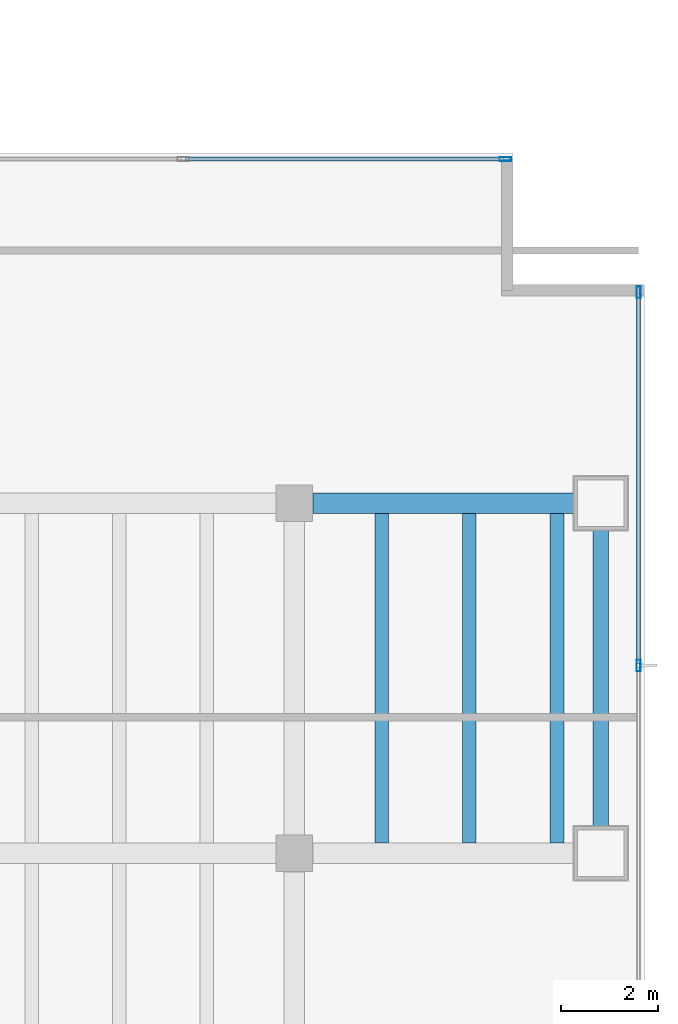
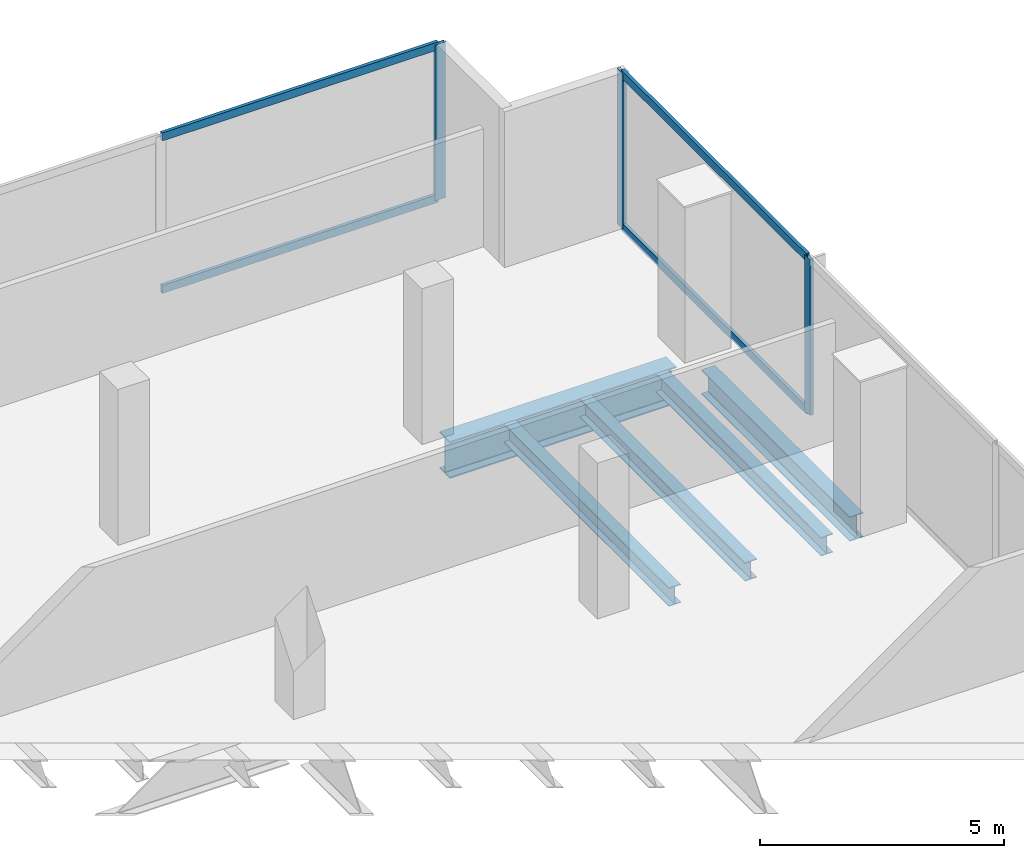
# One storey, part 20 of 32: 7 members, 5 beams, 2 elements without a shape of their own.
"""IFC4 building model written with IfcOpenShell, lengths in metres."""

from ifc_helpers import new_model, si_unit, direction, frame, origin, origin_2d, place, context, subcontext, project, spatial, hollow_rectangle, i_section, extrude, material, material_profile, profile_set, type_object, element, aggregate, save


model = new_model("IFC4")

# Units and contexts
model_context = context("Model", 3, precision=1e-05, world=origin(), true_north=direction((0.0, 1.0)))
body_context = subcontext(model_context, "Body", "Model", "MODEL_VIEW")
ifc_project = project(units=[si_unit("LENGTHUNIT", "METRE"), si_unit("AREAUNIT", "SQUARE_METRE"), si_unit("VOLUMEUNIT", "CUBIC_METRE"), si_unit("PLANEANGLEUNIT", "RADIAN"), si_unit("MASSUNIT", "GRAM", prefix="KILO")], contexts=[model_context])

# Site, building, storey
site_placement = place(None, origin())
site = spatial("IfcSite", under=ifc_project, at=site_placement, CompositionType="ELEMENT")
building_placement = place(site_placement, origin())
building = spatial("IfcBuilding", under=site, at=building_placement, Name="Cobrela Telecom Tower", CompositionType="ELEMENT")
storey_placement = place(building_placement, frame((0.0, 0.0, 22.050048828125)))
storey = spatial("IfcBuildingStorey", under=building, at=storey_placement, Name="L05", CompositionType="ELEMENT", Elevation=22.050048828125)

# Beams
ifc_material_1 = material(Name="Steel ASTM A992 Grade 50", Category="steel")
ifc_material_profile_1 = material_profile(ifc_material_1, i_section(OverallWidth=0.4189453125, OverallDepth=0.927001953125, WebThickness=0.019287109375, FlangeThickness=0.031982421875, FilletRadius=0.02392578125, at=origin_2d()), Name="W36X231")
ifc_profile_set_1 = profile_set([ifc_material_profile_1], Name="Steel ASTM A992 Grade 50")
beam_type_1 = type_object("IfcBeamType", Name="BM-GIRD-02", PredefinedType="USERDEFINED", material=ifc_profile_set_1)
beam_1_placement = place(storey_placement, frame((79.580078125, 21.60009765625, -0.753662109375), z_axis=(1.0, 0.0, 0.0), x_axis=(0.0, 1.0, 0.0)))
element("IfcBeam", 1, at=beam_1_placement, inside=storey, type_object=beam_type_1, Name="L05 Primary Girder X37", ObjectType="GIRDER", PredefinedType="USERDEFINED", context=body_context, shape_type="SweptSolid", body=[
    extrude(i_section(OverallWidth=0.4189453125, OverallDepth=0.927001953125, WebThickness=0.019287109375, FlangeThickness=0.031982421875, FilletRadius=0.02392578125, at=origin_2d()), origin(), (0.0, 0.0, 1.0), 5.364990234375),
])
ifc_material_profile_2 = material_profile(ifc_material_1, i_section(OverallWidth=0.281982421875, OverallDepth=0.467041015625, WebThickness=0.01220703125, FlangeThickness=0.01953125, FilletRadius=0.012939453125, at=origin_2d()), Name="W18X86")
ifc_profile_set_2 = profile_set([ifc_material_profile_2], Name="Steel ASTM A992 Grade 50")
beam_type_2 = type_object("IfcBeamType", Name="BM-JOIST-02", PredefinedType="JOIST", material=ifc_profile_set_2)
for number, where, z_axis, x_axis, name in (
    (2, (81.0, 14.614501953125, -0.5234375), (0.0, 1.0, 0.0), (-1.0, 0.0, 0.0), "L05 Secondary Composite Floor Beam J136"),
    (3, (82.800048828125, 14.614501953125, -0.5234375), (0.0, 1.0, 0.0), (-1.0, 0.0, 0.0), "L05 Secondary Composite Floor Beam J137"),
    (4, (84.60009765625, 14.614501953125, -0.5234375), (0.0, 1.0, 0.0), (-1.0, 0.0, 0.0), "L05 Secondary Composite Floor Beam J138"),
):
    element("IfcBeam", number, at=place(storey_placement, frame(where, z_axis=z_axis, x_axis=x_axis)), inside=storey, type_object=beam_type_2, Name=name, PredefinedType="JOIST", context=body_context, shape_type="SweptSolid", body=[
        extrude(i_section(OverallWidth=0.281982421875, OverallDepth=0.467041015625, WebThickness=0.01220703125, FlangeThickness=0.01953125, FilletRadius=0.012939453125, at=origin_2d()), origin(), (0.0, 0.0, 1.0), 6.77099609375),
    ])
ifc_material_profile_3 = material_profile(ifc_material_1, i_section(OverallWidth=0.324951171875, OverallDepth=0.612060546875, WebThickness=0.0126953125, FlangeThickness=0.01904296875, FilletRadius=0.014892578125, at=origin_2d()), Name="W24X104")
ifc_profile_set_3 = profile_set([ifc_material_profile_3], Name="Steel ASTM A992 Grade 50")
beam_type_3 = type_object("IfcBeamType", Name="BM-SPAND-02", PredefinedType="SPANDREL", material=ifc_profile_set_3)
beam_2_placement = place(storey_placement, frame((85.5, 14.955078125, -0.595947265625), z_axis=(0.0, 1.0, 0.0), x_axis=(-1.0, 0.0, 0.0)))
element("IfcBeam", 5, at=beam_2_placement, inside=storey, type_object=beam_type_3, Name="L05 Perimeter Spandrel Y100", PredefinedType="SPANDREL", context=body_context, shape_type="SweptSolid", body=[
    extrude(i_section(OverallWidth=0.324951171875, OverallDepth=0.612060546875, WebThickness=0.0126953125, FlangeThickness=0.01904296875, FilletRadius=0.014892578125, at=origin_2d()), origin(), (0.0, 0.0, 1.0), 6.08984375),
])

# Curtain wall, member
ifc_material_2 = material(Name="Anodized Bronze Aluminium 6063-T6", Category="aluminium")
curtain_wall_type = type_object("IfcCurtainWallType", Name="CW-SYS-CONC", PredefinedType="USERDEFINED", material=ifc_material_2)
curtain_wall_1_placement = place(storey_placement, origin())
curtain_wall_1 = element("IfcCurtainWall", 6, at=curtain_wall_1_placement, inside=storey, type_object=curtain_wall_type, Name="L05 Unitised Bronze Curtain Wall 11", ObjectType="UNITISED CURTAIN WALL", PredefinedType="USERDEFINED")
ifc_material_profile_4 = material_profile(ifc_material_2, hollow_rectangle(XDim=0.080078125, YDim=0.239990234375, WallThickness=0.0048828125, at=origin_2d()), Name="ALU 80x240x5")
ifc_profile_set_4 = profile_set([ifc_material_profile_4], Name="Anodized Bronze Aluminium 6063-T6")
member_type_1 = type_object("IfcMemberType", Name="CW-SYS-CONC-MUL", PredefinedType="MULLION", material=ifc_profile_set_4)
member_1_placement = place(storey_placement, frame((83.5400390625, 28.679931640625, 0.0), z_axis=(0.0, 0.0, 1.0), x_axis=(0.0, 1.0, 0.0)))
member_1 = element("IfcMember", 7, at=member_1_placement, type_object=member_type_1, Name="CW-CONC mullion 6", PredefinedType="MULLION", context=body_context, shape_type="SweptSolid", body=[
    extrude(hollow_rectangle(XDim=0.080078125, YDim=0.239990234375, WallThickness=0.0048828125, at=origin_2d()), origin(), (0.0, 0.0, 1.0), 3.89990234375),
])

# Curtain wall, members
curtain_wall_2_placement = place(storey_placement, origin())
curtain_wall_2 = element("IfcCurtainWall", 8, at=curtain_wall_2_placement, inside=storey, type_object=curtain_wall_type, Name="L05 Unitised Bronze Curtain Wall 14", ObjectType="UNITISED CURTAIN WALL", PredefinedType="USERDEFINED")
member_2_placement = place(storey_placement, frame((86.280029296875, 25.93994140625, 0.0), z_axis=(0.0, 0.0, 1.0), x_axis=(1.0, 0.0, 0.0)))
member_2 = element("IfcMember", 9, at=member_2_placement, type_object=member_type_1, Name="CW-CONC mullion 1", PredefinedType="MULLION", context=body_context, shape_type="SweptSolid", body=[
    extrude(hollow_rectangle(XDim=0.080078125, YDim=0.239990234375, WallThickness=0.0048828125, at=origin_2d()), origin(), (0.0, 0.0, 1.0), 3.89990234375),
])
member_3_placement = place(storey_placement, frame((86.280029296875, 18.260009765625, 0.0), z_axis=(0.0, 0.0, 1.0), x_axis=(1.0, 0.0, 0.0)))
member_3 = element("IfcMember", 10, at=member_3_placement, type_object=member_type_1, Name="CW-CONC mullion 2", PredefinedType="MULLION", context=body_context, shape_type="SweptSolid", body=[
    extrude(hollow_rectangle(XDim=0.080078125, YDim=0.239990234375, WallThickness=0.0048828125, at=origin_2d()), origin(), (0.0, 0.0, 1.0), 3.89990234375),
])

# Member
ifc_material_profile_5 = material_profile(ifc_material_2, hollow_rectangle(XDim=0.080078125, YDim=0.199951171875, WallThickness=0.00390625, at=origin_2d()), Name="ALU 80x200x4")
ifc_profile_set_5 = profile_set([ifc_material_profile_5], Name="Anodized Bronze Aluminium 6063-T6")
member_type_2 = type_object("IfcMemberType", Name="CW-SYS-CONC-TRN", PredefinedType="USERDEFINED", material=ifc_profile_set_5)
member_4_placement = place(storey_placement, frame((76.9599609375, 28.679931640625, 0.0400390625), z_axis=(1.0, 0.0, 0.0), x_axis=(0.0, 1.0, 0.0)))
member_4 = element("IfcMember", 11, at=member_4_placement, type_object=member_type_2, Name="CW-CONC transom 5.1", ObjectType="TRANSOM", PredefinedType="USERDEFINED", context=body_context, shape_type="SweptSolid", body=[
    extrude(hollow_rectangle(XDim=0.080078125, YDim=0.199951171875, WallThickness=0.00390625, at=origin_2d()), origin(), (0.0, 0.0, 1.0), 6.5400390625),
])

member_5_placement = place(storey_placement, frame((76.9599609375, 28.679931640625, 3.85986328125), z_axis=(1.0, 0.0, 0.0), x_axis=(0.0, 1.0, 0.0)))
member_5 = element("IfcMember", 12, at=member_5_placement, type_object=member_type_2, Name="CW-CONC transom 5.2", ObjectType="TRANSOM", PredefinedType="USERDEFINED", context=body_context, shape_type="SweptSolid", body=[
    extrude(hollow_rectangle(XDim=0.080078125, YDim=0.199951171875, WallThickness=0.00390625, at=origin_2d()), origin(), (0.0, 0.0, 1.0), 6.5400390625),
])

aggregate(curtain_wall_1, [member_1, member_4, member_5])

member_6_placement = place(storey_placement, frame((86.280029296875, 25.89990234375, 0.0400390625), z_axis=(0.0, -1.0, 0.0), x_axis=(1.0, 0.0, 0.0)))
member_6 = element("IfcMember", 13, at=member_6_placement, type_object=member_type_2, Name="CW-CONC transom 1.1", ObjectType="TRANSOM", PredefinedType="USERDEFINED", context=body_context, shape_type="SweptSolid", body=[
    extrude(hollow_rectangle(XDim=0.080078125, YDim=0.199951171875, WallThickness=0.00390625, at=origin_2d()), origin(), (0.0, 0.0, 1.0), 7.599853515625),
])

member_7_placement = place(storey_placement, frame((86.280029296875, 25.89990234375, 3.85986328125), z_axis=(0.0, -1.0, 0.0), x_axis=(1.0, 0.0, 0.0)))
member_7 = element("IfcMember", 14, at=member_7_placement, type_object=member_type_2, Name="CW-CONC transom 1.2", ObjectType="TRANSOM", PredefinedType="USERDEFINED", context=body_context, shape_type="SweptSolid", body=[
    extrude(hollow_rectangle(XDim=0.080078125, YDim=0.199951171875, WallThickness=0.00390625, at=origin_2d()), origin(), (0.0, 0.0, 1.0), 7.599853515625),
])

aggregate(curtain_wall_2, [member_2, member_3, member_6, member_7])

save(model, "model.ifc")
